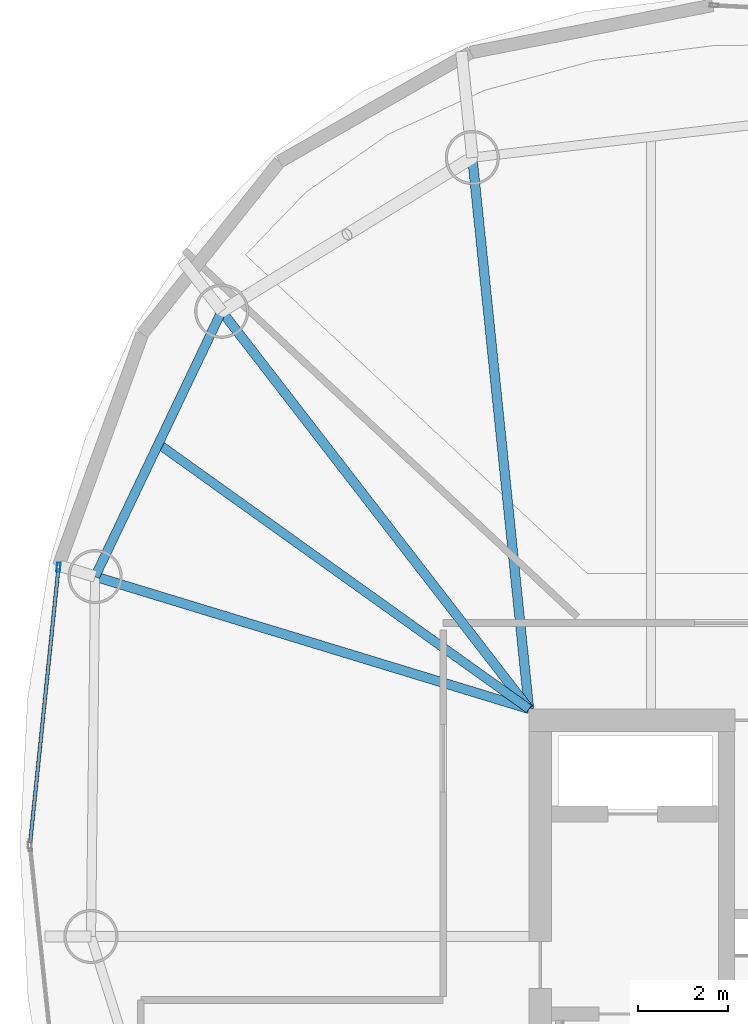
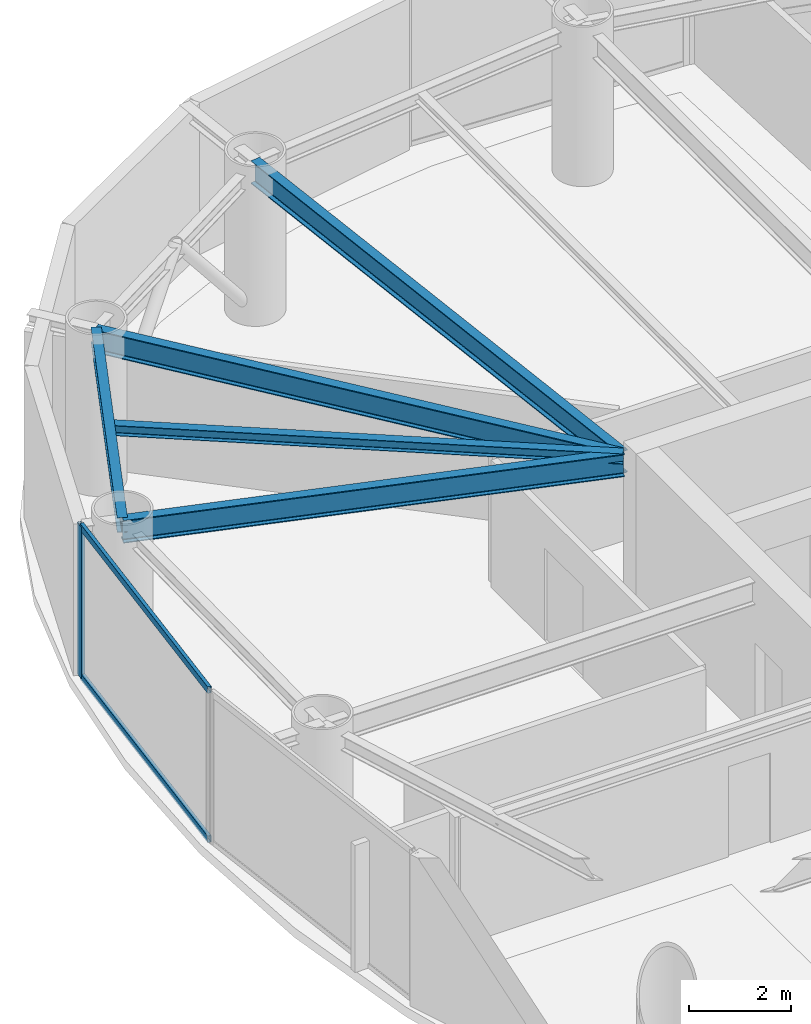
# One storey, part 9 of 20: 5 beams, 3 members, 1 element without a shape of its own.
"""IFC4 building model written with IfcOpenShell, lengths in metres."""

from ifc_helpers import new_model, si_unit, direction, frame, origin, origin_2d, place, context, subcontext, project, spatial, hollow_rectangle, i_section, extrude, material, layer, layer_set, material_profile, profile_set, type_object, element, aggregate, save


model = new_model("IFC4")

# Units and contexts
model_context = context("Model", 3, precision=1e-05, world=origin(), true_north=direction((0.0, 1.0)))
body_context = subcontext(model_context, "Body", "Model", "MODEL_VIEW")
ifc_project = project(units=[si_unit("LENGTHUNIT", "METRE"), si_unit("AREAUNIT", "SQUARE_METRE"), si_unit("VOLUMEUNIT", "CUBIC_METRE"), si_unit("PLANEANGLEUNIT", "RADIAN"), si_unit("MASSUNIT", "GRAM", prefix="KILO")], contexts=[model_context])

# Site, building, storey
site_placement = place(None, origin())
site = spatial("IfcSite", under=ifc_project, at=site_placement, CompositionType="ELEMENT")
building_placement = place(site_placement, origin())
building = spatial("IfcBuilding", under=site, at=building_placement, Name="Bramvorn Convention Spire", CompositionType="ELEMENT")
storey_placement = place(building_placement, frame((0.0, 0.0, 228.949951171875)))
storey = spatial("IfcBuildingStorey", under=building, at=storey_placement, Name="L58", CompositionType="ELEMENT", Elevation=228.949951171875)

# Beams
ifc_material_1 = material(Name="Steel CSA G40.21 Grade 350 (350W)", Category="steel")
ifc_material_profile_1 = material_profile(ifc_material_1, i_section(OverallWidth=0.201904296875, OverallDepth=0.2470703125, WebThickness=0.00732421875, FlangeThickness=0.010986328125, FilletRadius=0.011962890625, at=origin_2d()))
ifc_profile_set_1 = profile_set([ifc_material_profile_1], Name="Steel CSA G40.21 Grade 350 (350W) - W250X49")
beam_type_1 = type_object("IfcBeamType", Name="BM-W250X49", PredefinedType="JOIST", material=ifc_profile_set_1)
beam_1_placement = place(storey_placement, frame((26.75, 33.449951171875, 3.49658203125), z_axis=(-0.813471895271, 0.581604225916, 0.0), x_axis=(-0.581604225916, -0.813471895271, 0.0)))
element("IfcBeam", 1, at=beam_1_placement, inside=storey, type_object=beam_type_1, Name="L58 composite floor joist 09", PredefinedType="JOIST", context=body_context, shape_type="SweptSolid", body=[
    extrude(i_section(OverallWidth=0.201904296875, OverallDepth=0.2470703125, WebThickness=0.00732421875, FlangeThickness=0.010986328125, FilletRadius=0.011962890625, at=origin_2d()), origin(), (0.0, 0.0, 1.0), 10.093505859375),
])
ifc_material_profile_2 = material_profile(ifc_material_1, i_section(OverallWidth=0.205078125, OverallDepth=0.35400390625, WebThickness=0.009521484375, FlangeThickness=0.016845703125, FilletRadius=0.014892578125, at=origin_2d()))
ifc_profile_set_2 = profile_set([ifc_material_profile_2], Name="Steel CSA G40.21 Grade 350 (350W) - W360X79")
beam_type_2 = type_object("IfcBeamType", Name="BM-W360X79", PredefinedType="JOIST", material=ifc_profile_set_2)
beam_2_placement = place(storey_placement, frame((19.941650390625, 42.260009765625, 3.443115234375), z_axis=(-0.430556138422, -0.902563799223, 0.0), x_axis=(0.902563799223, -0.430556138422, 0.0)))
element("IfcBeam", 2, at=beam_2_placement, inside=storey, type_object=beam_type_2, Name="L58 mega-column ring beam 09", PredefinedType="JOIST", context=body_context, shape_type="SweptSolid", body=[
    extrude(i_section(OverallWidth=0.205078125, OverallDepth=0.35400390625, WebThickness=0.009521484375, FlangeThickness=0.016845703125, FilletRadius=0.014892578125, at=origin_2d()), origin(), (0.0, 0.0, 1.0), 6.51416015625),
])
ifc_material_profile_3 = material_profile(ifc_material_1, i_section(OverallWidth=0.2119140625, OverallDepth=0.5439453125, WebThickness=0.01318359375, FlangeThickness=0.021240234375, FilletRadius=0.01904296875, at=origin_2d()))
ifc_profile_set_3 = profile_set([ifc_material_profile_3], Name="Steel CSA G40.21 Grade 350 (350W) - W530X123")
beam_type_3 = type_object("IfcBeamType", Name="BM-W530X123", PredefinedType="BEAM", material=ifc_profile_set_3)
beam_3_placement = place(storey_placement, frame((26.75, 33.449951171875, 3.34814453125), z_axis=(-0.10216509146, 0.994767457292, 0.0), x_axis=(-0.994767457292, -0.10216509146, 0.0)))
element("IfcBeam", 3, at=beam_3_placement, inside=storey, type_object=beam_type_3, Name="L58 radial floor girder MC08", PredefinedType="BEAM", context=body_context, shape_type="SweptSolid", body=[
    extrude(i_section(OverallWidth=0.2119140625, OverallDepth=0.5439453125, WebThickness=0.01318359375, FlangeThickness=0.021240234375, FilletRadius=0.01904296875, at=origin_2d()), origin(), (0.0, 0.0, 1.0), 12.278076171875),
])
beam_4_placement = place(storey_placement, frame((26.75, 33.449951171875, 3.34814453125), z_axis=(-0.611479951477, 0.791259925019, 0.0), x_axis=(-0.791259925019, -0.611479951477, 0.0)))
element("IfcBeam", 4, at=beam_4_placement, inside=storey, type_object=beam_type_3, Name="L58 radial floor girder MC09", PredefinedType="BEAM", context=body_context, shape_type="SweptSolid", body=[
    extrude(i_section(OverallWidth=0.2119140625, OverallDepth=0.5439453125, WebThickness=0.01318359375, FlangeThickness=0.021240234375, FilletRadius=0.01904296875, at=origin_2d()), origin(), (0.0, 0.0, 1.0), 11.13427734375),
])
beam_5_placement = place(storey_placement, frame((26.75, 33.449951171875, 3.34814453125), z_axis=(-0.95653637984, 0.291613021044, 0.0), x_axis=(-0.291613021044, -0.95653637984, 0.0)))
element("IfcBeam", 5, at=beam_5_placement, inside=storey, type_object=beam_type_3, Name="L58 radial floor girder MC10", PredefinedType="BEAM", context=body_context, shape_type="SweptSolid", body=[
    extrude(i_section(OverallWidth=0.2119140625, OverallDepth=0.5439453125, WebThickness=0.01318359375, FlangeThickness=0.021240234375, FilletRadius=0.01904296875, at=origin_2d()), origin(), (0.0, 0.0, 1.0), 10.0498046875),
])

# Curtain wall, members
ifc_material_2 = material(Name="Anodised Bronze Unitised Curtain Wall", Category="aluminium")
ifc_layer = layer(ifc_material_2, 0.179931640625)
ifc_layer_set = layer_set([ifc_layer], Name="Anodised Bronze Unitised Curtain Wall - CW-OFF-FRIT")
curtain_wall_type = type_object("IfcCurtainWallType", Name="CW-OFF-FRIT", PredefinedType="USERDEFINED", material=ifc_layer_set)
curtain_wall_placement = place(storey_placement, origin())
curtain_wall = element("IfcCurtainWall", 6, at=curtain_wall_placement, inside=storey, type_object=curtain_wall_type, Name="L58 fritted glass curtain wall 15", ObjectType="UNITISED CURTAIN WALL", PredefinedType="USERDEFINED")
ifc_material_3 = material(Name="Anodised Bronze Aluminium 6063-T6", Category="aluminium")
ifc_material_profile_4 = material_profile(ifc_material_3, hollow_rectangle(XDim=0.080078125, YDim=0.199951171875, WallThickness=0.00390625, InnerFilletRadius=0.0009765625, OuterFilletRadius=0.00390625, at=origin_2d()))
ifc_profile_set_4 = profile_set([ifc_material_profile_4], Name="Anodised Bronze Aluminium 6063-T6 - CWM80X200")
member_type_1 = type_object("IfcMemberType", Name="CW-MUL-180", PredefinedType="MULLION", material=ifc_profile_set_4)
member_1_placement = place(storey_placement, frame((16.3271484375, 36.58984375, 0.0), z_axis=(0.0, 0.0, 1.0), x_axis=(-0.994739809886, 0.102433932988, 0.0)))
member_1 = element("IfcMember", 7, at=member_1_placement, type_object=member_type_1, Name="CW3 mullion 2", PredefinedType="MULLION", context=body_context, shape_type="SweptSolid", body=[
    extrude(hollow_rectangle(XDim=0.080078125, YDim=0.199951171875, WallThickness=0.00390625, InnerFilletRadius=0.0009765625, OuterFilletRadius=0.00390625, at=origin_2d()), origin(), (0.0, 0.0, 1.0), 3.6201171875),
])
ifc_material_profile_5 = material_profile(ifc_material_3, hollow_rectangle(XDim=0.080078125, YDim=0.159912109375, WallThickness=0.00390625, InnerFilletRadius=0.0009765625, OuterFilletRadius=0.00390625, at=origin_2d()))
ifc_profile_set_5 = profile_set([ifc_material_profile_5], Name="Anodised Bronze Aluminium 6063-T6 - CWT80X160")
member_type_2 = type_object("IfcMemberType", Name="CW-TRN-150", PredefinedType="USERDEFINED", material=ifc_profile_set_5)
member_2_placement = place(storey_placement, frame((15.698486328125, 30.485595703125, 0.030029296875), z_axis=(0.102432626114, 0.994739944462, 0.0), x_axis=(-0.994739944462, 0.102432626114, 0.0)))
member_2 = element("IfcMember", 8, at=member_2_placement, type_object=member_type_2, Name="CW3 transom 1.1", ObjectType="TRANSOM", PredefinedType="USERDEFINED", context=body_context, shape_type="SweptSolid", body=[
    extrude(hollow_rectangle(XDim=0.080078125, YDim=0.159912109375, WallThickness=0.00390625, InnerFilletRadius=0.0009765625, OuterFilletRadius=0.00390625, at=origin_2d()), origin(), (0.0, 0.0, 1.0), 6.1064453125),
])
member_3_placement = place(storey_placement, frame((15.698486328125, 30.485595703125, 3.590087890625), z_axis=(0.102432626114, 0.994739944462, 0.0), x_axis=(-0.994739944462, 0.102432626114, 0.0)))
member_3 = element("IfcMember", 9, at=member_3_placement, type_object=member_type_2, Name="CW3 transom 1.2", ObjectType="TRANSOM", PredefinedType="USERDEFINED", context=body_context, shape_type="SweptSolid", body=[
    extrude(hollow_rectangle(XDim=0.080078125, YDim=0.159912109375, WallThickness=0.00390625, InnerFilletRadius=0.0009765625, OuterFilletRadius=0.00390625, at=origin_2d()), origin(), (0.0, 0.0, 1.0), 6.1064453125),
])
aggregate(curtain_wall, [member_1, member_2, member_3])

save(model, "model.ifc")
